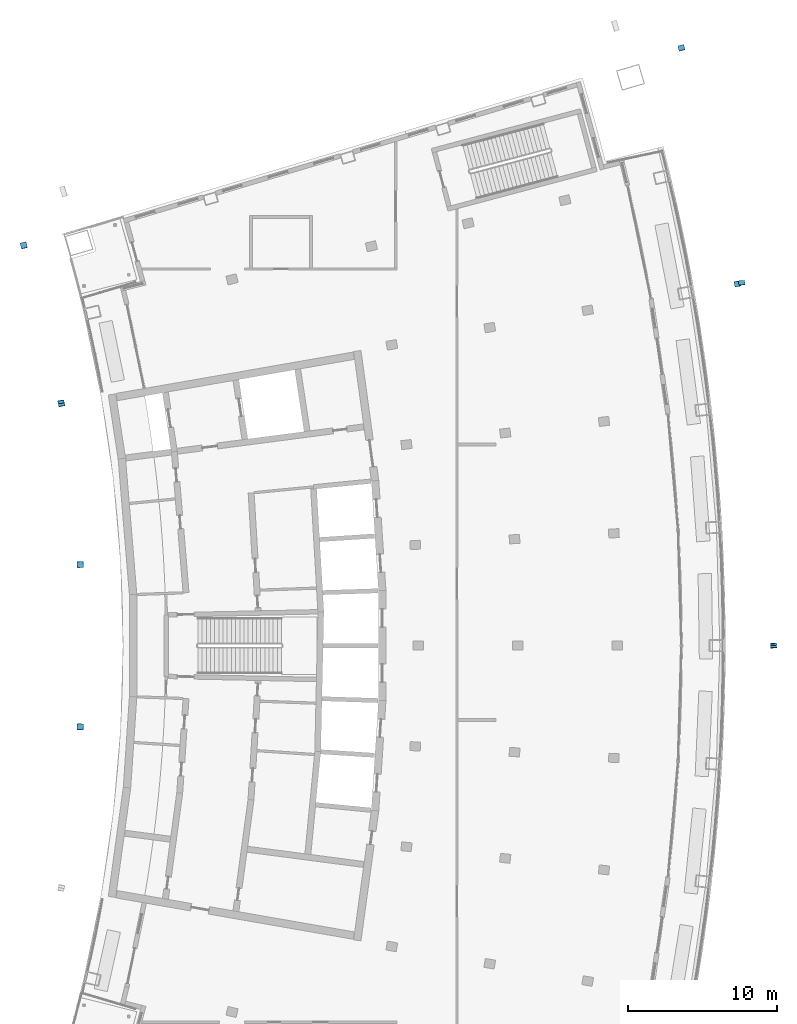
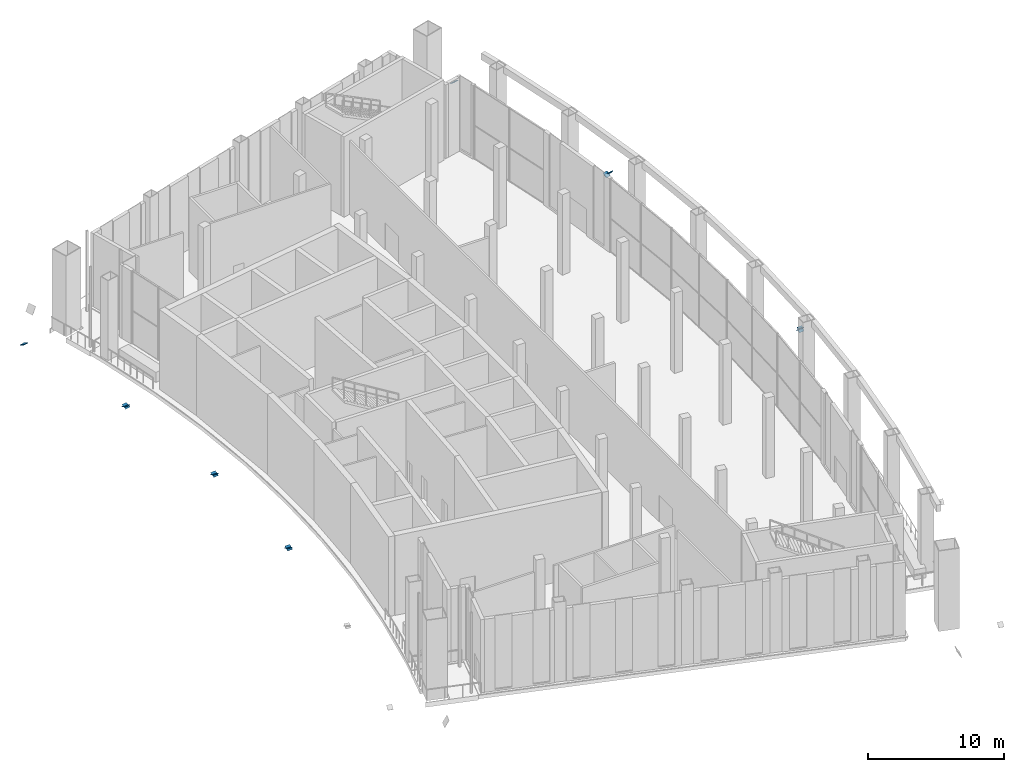
# One storey, part 20 of 25: 12 discrete accessories.
"""IFC4 building model written with IfcOpenShell, lengths in metres."""

from ifc_helpers import new_model, si_unit, direction, frame, origin, origin_2d, place, context, subcontext, project, spatial, rectangle, extrude, material, material_profile, profile_set, type_object, element, save


model = new_model("IFC4")

# Units and contexts
model_context = context("Model", 3, precision=1e-05, world=origin(), true_north=direction((0.0, 1.0)))
body_context = subcontext(model_context, "Body", "Model", "MODEL_VIEW")
ifc_project = project(units=[si_unit("LENGTHUNIT", "METRE"), si_unit("AREAUNIT", "SQUARE_METRE"), si_unit("VOLUMEUNIT", "CUBIC_METRE"), si_unit("PLANEANGLEUNIT", "RADIAN"), si_unit("MASSUNIT", "GRAM", prefix="KILO")], contexts=[model_context])

# Site, building, storey
site_placement = place(None, origin())
site = spatial("IfcSite", under=ifc_project, at=site_placement, CompositionType="ELEMENT")
building_placement = place(site_placement, origin())
building = spatial("IfcBuilding", under=site, at=building_placement, Name="Alderwake Tower", CompositionType="ELEMENT")
storey_placement = place(building_placement, frame((0.0, 0.0, 288.800048828125)))
storey = spatial("IfcBuildingStorey", under=building, at=storey_placement, Name="L72", CompositionType="ELEMENT", Elevation=288.800048828125)

# Discrete accessories
ifc_material = material(Name="Steel ASTM A572 Grade 50", Category="steel")
ifc_material_profile = material_profile(ifc_material, rectangle(XDim=0.41552734375, YDim=0.445556640625, at=origin_2d()), Name="W14X342 cap")
ifc_profile_set = profile_set([ifc_material_profile], Name="Steel ASTM A572 Grade 50")
discrete_accessory_type = type_object("IfcDiscreteAccessoryType", Name="End cap plate W14X342", PredefinedType="USERDEFINED", material=ifc_profile_set)
for number, where, z_axis, x_axis, name in (
    (1, (59.622314453125, 61.0, 0.0), (0.048890485065, 0.749654104333, 0.66002154838), (-0.997880105966, 0.065079137346, 0.0), "End cap BRF5.2.4A N"),
    (2, (57.489501953125, 85.309326171875, 0.0), (-0.07322641444, 0.748536680943, 0.65903772996), (-0.995249100669, -0.097361325065, 0.0), "End cap BRF5.2.7A N"),
    (3, (59.622314453125, 61.0, 0.0), (0.048890485065, -0.749654104333, 0.66002154838), (0.997880105966, 0.065079137346, 0.0), "End cap BRF5.2.7B2 N"),
    (4, (53.447509765625, 101.064697265625, 0.0), (-0.154369542892, 0.584979320433, 0.796221852811), (-0.966900358349, -0.255154261231, 0.0), "End cap BRF5.2.10A N"),
    (5, (57.2041015625, 85.2587890625, 0.0), (0.122421449333, -0.587622956801, 0.799820135645), (0.978980419738, 0.203954254112, 0.0), "End cap BRF5.2.10B2 N"),
    (6, (13.141357421875, 55.560546875, 0.0), (0.048728980643, 0.446682322562, 0.893364645123), (-0.994102176608, 0.108447510175, 0.0), "End cap BRR5.2.4A N"),
    (7, (13.141357421875, 66.439453125, 0.0), (0.0, 0.4472135955, 0.894427191), (-1.0, 0.0, 0.0), "End cap BRR5.2.6A N"),
    (8, (13.141357421875, 55.560546875, 0.0), (0.0, -0.4472135955, 0.894427191), (1.0, 0.0, 0.0), "End cap BRR5.2.6B2 N"),
    (9, (11.875, 77.244384765625, 0.0), (-0.056826119483, 0.446490938798, 0.892981877596), (-0.991997911724, -0.126254279674, 0.0), "End cap BRR5.2.8A N"),
    (10, (13.141357421875, 66.439453125, 0.0), (0.048728980643, -0.446682322562, 0.893364645123), (0.994102176608, 0.108447510175, 0.0), "End cap BRR5.2.8B2 N"),
    (11, (9.359619140625, 87.828369140625, 0.0), (-0.105869651339, 0.43162242469, 0.895820126716), (-0.971210844098, -0.238221527798, 0.0), "End cap BRR5.2.10A N"),
    (12, (11.875, 77.244384765625, 0.0), (0.105495990526, -0.438214114494, 0.892658381376), (0.972223637158, 0.234053838575, 0.0), "End cap BRR5.2.10B2 N"),
):
    element("IfcDiscreteAccessory", number, at=place(storey_placement, frame(where, z_axis=z_axis, x_axis=x_axis)), inside=storey, type_object=discrete_accessory_type, Name=name, ObjectType="END CAP", PredefinedType="USERDEFINED", context=body_context, shape_type="SweptSolid", body=[
        extrude(rectangle(XDim=0.41552734375, YDim=0.445556640625, at=origin_2d()), origin(), (0.0, 0.0, 1.0), 0.030029296875),
    ])

save(model, "model.ifc")
